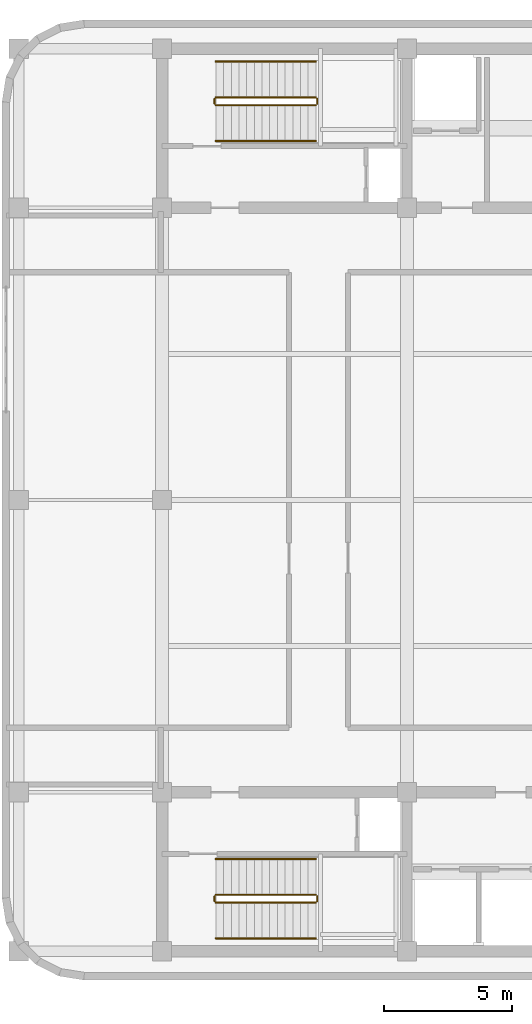
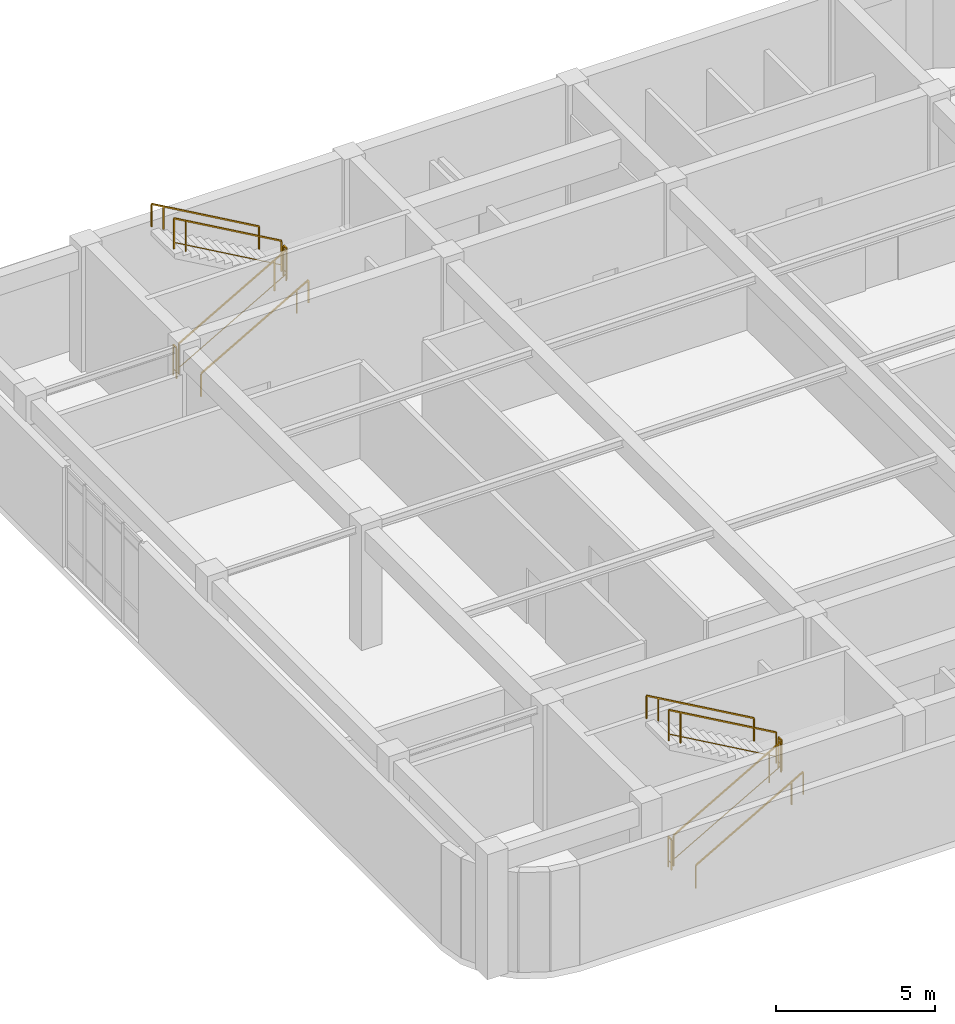
# One storey, part 7 of 7: 12 railings.
"""IFC4 building model written with IfcOpenShell, lengths in metres."""

from ifc_helpers import new_model, si_unit, direction, frame, origin, origin_2d, place, context, subcontext, project, spatial, rectangle, extrude, material, type_object, element, save


model = new_model("IFC4")

# Units and contexts
model_context = context("Model", 3, precision=1e-05, world=origin(), true_north=direction((0.0, 1.0)))
body_context = subcontext(model_context, "Body", "Model", "MODEL_VIEW")
ifc_project = project(units=[si_unit("LENGTHUNIT", "METRE"), si_unit("AREAUNIT", "SQUARE_METRE"), si_unit("VOLUMEUNIT", "CUBIC_METRE"), si_unit("PLANEANGLEUNIT", "RADIAN"), si_unit("MASSUNIT", "GRAM", prefix="KILO")], contexts=[model_context])

# Site, building, storey
site_placement = place(None, origin())
site = spatial("IfcSite", under=ifc_project, at=site_placement, CompositionType="ELEMENT")
building_placement = place(site_placement, origin())
building = spatial("IfcBuilding", under=site, at=building_placement, Name="Svetorya Sky Lyceum", CompositionType="ELEMENT")
storey_placement = place(building_placement, frame((0.0, 0.0, 255.39990234375)))
storey = spatial("IfcBuildingStorey", under=building, at=storey_placement, Name="L64", CompositionType="ELEMENT", Elevation=255.39990234375)

# Railings
ifc_material_1 = material(Name="Painted galvanized stair well guard")
railing_type_1 = type_object("IfcRailingType", Name="RL-STR-GUARD-1200", PredefinedType="GUARDRAIL", material=ifc_material_1)
railing_1_placement = place(storey_placement, frame((27.699951171875, 12.5, 0.171630859375)))
element("IfcRailing", 1, at=railing_1_placement, inside=storey, type_object=railing_type_1, Name="L64 ST-S stair guard 1", PredefinedType="GUARDRAIL", context=body_context, shape_type="SweptSolid", body=[
    extrude(rectangle(XDim=0.048095703125, YDim=0.048095703125, at=origin_2d()), frame((0.0, 0.0, 1.17578125), z_axis=(0.868256520506, 0.0, 0.496115525457), x_axis=(0.0, 1.0, 0.0)), (0.0, 0.0, 1.0), 4.491943359375),
    extrude(rectangle(XDim=0.02392578125, YDim=0.02392578125, at=origin_2d()), frame((0.0, 0.0, 0.25), z_axis=(0.868256520506, 0.0, 0.496115525457), x_axis=(0.0, 1.0, 0.0)), (0.0, 0.0, 1.0), 4.491943359375),
    extrude(rectangle(XDim=0.0419921875, YDim=0.0419921875, at=origin_2d()), origin(), (0.0, 0.0, 1.0), 1.15185546875),
    extrude(rectangle(XDim=0.0419921875, YDim=0.0419921875, at=origin_2d()), frame((3.47314453125, 0.0, 1.984375)), (0.0, 0.0, 1.0), 1.15185546875),
    extrude(rectangle(XDim=0.0419921875, YDim=0.0419921875, at=origin_2d()), frame((3.900146484375, 0.0, 2.228515625)), (0.0, 0.0, 1.0), 1.15185546875),
])
railing_2_placement = place(storey_placement, frame((31.64990234375, 12.550048828125, 2.400146484375)))
element("IfcRailing", 2, at=railing_2_placement, inside=storey, type_object=railing_type_1, Name="L64 ST-S stair guard 2", PredefinedType="GUARDRAIL", context=body_context, shape_type="SweptSolid", body=[
    extrude(rectangle(XDim=0.048095703125, YDim=0.048095703125, at=origin_2d()), frame((0.0, 0.0, 1.17578125), z_axis=(0.0, 1.0, 0.0), x_axis=(-1.0, 0.0, 0.0)), (0.0, 0.0, 1.0), 0.199951171875),
    extrude(rectangle(XDim=0.02392578125, YDim=0.02392578125, at=origin_2d()), frame((0.0, 0.0, 0.25), z_axis=(0.0, 1.0, 0.0), x_axis=(-1.0, 0.0, 0.0)), (0.0, 0.0, 1.0), 0.199951171875),
    extrude(rectangle(XDim=0.0419921875, YDim=0.0419921875, at=origin_2d()), origin(), (0.0, 0.0, 1.0), 1.15185546875),
    extrude(rectangle(XDim=0.0419921875, YDim=0.0419921875, at=origin_2d()), frame((0.0, 0.199951171875, 0.0)), (0.0, 0.0, 1.0), 1.15185546875),
])
railing_3_placement = place(storey_placement, frame((31.60009765625, 12.800048828125, 2.571533203125)))
element("IfcRailing", 3, at=railing_3_placement, inside=storey, type_object=railing_type_1, Name="L64 ST-S stair guard 3", PredefinedType="GUARDRAIL", context=body_context, shape_type="SweptSolid", body=[
    extrude(rectangle(XDim=0.048095703125, YDim=0.048095703125, at=origin_2d()), frame((0.0, 0.0, 1.17578125), z_axis=(-0.868256520506, 0.0, 0.496115525457), x_axis=(0.0, -1.0, 0.0)), (0.0, 0.0, 1.0), 4.491943359375),
    extrude(rectangle(XDim=0.02392578125, YDim=0.02392578125, at=origin_2d()), frame((0.0, 0.0, 0.25), z_axis=(-0.868256520506, 0.0, 0.496115525457), x_axis=(0.0, -1.0, 0.0)), (0.0, 0.0, 1.0), 4.491943359375),
    extrude(rectangle(XDim=0.0419921875, YDim=0.0419921875, at=origin_2d()), origin(), (0.0, 0.0, 1.0), 1.15185546875),
    extrude(rectangle(XDim=0.0419921875, YDim=0.0419921875, at=origin_2d()), frame((-3.47314453125, 0.0, 1.984375)), (0.0, 0.0, 1.0), 1.15185546875),
    extrude(rectangle(XDim=0.0419921875, YDim=0.0419921875, at=origin_2d()), frame((-3.900146484375, 0.0, 2.228515625)), (0.0, 0.0, 1.0), 1.15185546875),
])
railing_4_placement = place(storey_placement, frame((27.64990234375, 12.550048828125, 0.0)))
element("IfcRailing", 4, at=railing_4_placement, inside=storey, type_object=railing_type_1, Name="L64 ST-S stair guard 4", PredefinedType="GUARDRAIL", context=body_context, shape_type="SweptSolid", body=[
    extrude(rectangle(XDim=0.048095703125, YDim=0.048095703125, at=origin_2d()), frame((0.0, 0.0, 1.17578125), z_axis=(0.0, 1.0, 0.0), x_axis=(-1.0, 0.0, 0.0)), (0.0, 0.0, 1.0), 0.199951171875),
    extrude(rectangle(XDim=0.02392578125, YDim=0.02392578125, at=origin_2d()), frame((0.0, 0.0, 0.25), z_axis=(0.0, 1.0, 0.0), x_axis=(-1.0, 0.0, 0.0)), (0.0, 0.0, 1.0), 0.199951171875),
    extrude(rectangle(XDim=0.0419921875, YDim=0.0419921875, at=origin_2d()), origin(), (0.0, 0.0, 1.0), 1.15185546875),
    extrude(rectangle(XDim=0.0419921875, YDim=0.0419921875, at=origin_2d()), frame((0.0, 0.199951171875, 0.0)), (0.0, 0.0, 1.0), 1.15185546875),
])
railing_5_placement = place(storey_placement, frame((27.699951171875, 43.60009765625, 0.171630859375)))
element("IfcRailing", 5, at=railing_5_placement, inside=storey, type_object=railing_type_1, Name="L64 ST-N stair guard 1", PredefinedType="GUARDRAIL", context=body_context, shape_type="SweptSolid", body=[
    extrude(rectangle(XDim=0.048095703125, YDim=0.048095703125, at=origin_2d()), frame((0.0, 0.0, 1.17578125), z_axis=(0.868256520506, 0.0, 0.496115525457), x_axis=(0.0, 1.0, 0.0)), (0.0, 0.0, 1.0), 4.491943359375),
    extrude(rectangle(XDim=0.02392578125, YDim=0.02392578125, at=origin_2d()), frame((0.0, 0.0, 0.25), z_axis=(0.868256520506, 0.0, 0.496115525457), x_axis=(0.0, 1.0, 0.0)), (0.0, 0.0, 1.0), 4.491943359375),
    extrude(rectangle(XDim=0.0419921875, YDim=0.0419921875, at=origin_2d()), origin(), (0.0, 0.0, 1.0), 1.15185546875),
    extrude(rectangle(XDim=0.0419921875, YDim=0.0419921875, at=origin_2d()), frame((3.47314453125, 0.0, 1.984375)), (0.0, 0.0, 1.0), 1.15185546875),
    extrude(rectangle(XDim=0.0419921875, YDim=0.0419921875, at=origin_2d()), frame((3.900146484375, 0.0, 2.228515625)), (0.0, 0.0, 1.0), 1.15185546875),
])
railing_6_placement = place(storey_placement, frame((31.64990234375, 43.64990234375, 2.400146484375)))
element("IfcRailing", 6, at=railing_6_placement, inside=storey, type_object=railing_type_1, Name="L64 ST-N stair guard 2", PredefinedType="GUARDRAIL", context=body_context, shape_type="SweptSolid", body=[
    extrude(rectangle(XDim=0.048095703125, YDim=0.048095703125, at=origin_2d()), frame((0.0, 0.0, 1.17578125), z_axis=(0.0, 1.0, 0.0), x_axis=(-1.0, 0.0, 0.0)), (0.0, 0.0, 1.0), 0.2001953125),
    extrude(rectangle(XDim=0.02392578125, YDim=0.02392578125, at=origin_2d()), frame((0.0, 0.0, 0.25), z_axis=(0.0, 1.0, 0.0), x_axis=(-1.0, 0.0, 0.0)), (0.0, 0.0, 1.0), 0.2001953125),
    extrude(rectangle(XDim=0.0419921875, YDim=0.0419921875, at=origin_2d()), origin(), (0.0, 0.0, 1.0), 1.15185546875),
    extrude(rectangle(XDim=0.0419921875, YDim=0.0419921875, at=origin_2d()), frame((0.0, 0.2001953125, 0.0)), (0.0, 0.0, 1.0), 1.15185546875),
])
railing_7_placement = place(storey_placement, frame((31.60009765625, 43.89990234375, 2.571533203125)))
element("IfcRailing", 7, at=railing_7_placement, inside=storey, type_object=railing_type_1, Name="L64 ST-N stair guard 3", PredefinedType="GUARDRAIL", context=body_context, shape_type="SweptSolid", body=[
    extrude(rectangle(XDim=0.048095703125, YDim=0.048095703125, at=origin_2d()), frame((0.0, 0.0, 1.17578125), z_axis=(-0.868256520506, 0.0, 0.496115525457), x_axis=(0.0, -1.0, 0.0)), (0.0, 0.0, 1.0), 4.491943359375),
    extrude(rectangle(XDim=0.02392578125, YDim=0.02392578125, at=origin_2d()), frame((0.0, 0.0, 0.25), z_axis=(-0.868256520506, 0.0, 0.496115525457), x_axis=(0.0, -1.0, 0.0)), (0.0, 0.0, 1.0), 4.491943359375),
    extrude(rectangle(XDim=0.0419921875, YDim=0.0419921875, at=origin_2d()), origin(), (0.0, 0.0, 1.0), 1.15185546875),
    extrude(rectangle(XDim=0.0419921875, YDim=0.0419921875, at=origin_2d()), frame((-3.47314453125, 0.0, 1.984375)), (0.0, 0.0, 1.0), 1.15185546875),
    extrude(rectangle(XDim=0.0419921875, YDim=0.0419921875, at=origin_2d()), frame((-3.900146484375, 0.0, 2.228515625)), (0.0, 0.0, 1.0), 1.15185546875),
])
railing_8_placement = place(storey_placement, frame((27.64990234375, 43.64990234375, 0.0)))
element("IfcRailing", 8, at=railing_8_placement, inside=storey, type_object=railing_type_1, Name="L64 ST-N stair guard 4", PredefinedType="GUARDRAIL", context=body_context, shape_type="SweptSolid", body=[
    extrude(rectangle(XDim=0.048095703125, YDim=0.048095703125, at=origin_2d()), frame((0.0, 0.0, 1.17578125), z_axis=(0.0, 1.0, 0.0), x_axis=(-1.0, 0.0, 0.0)), (0.0, 0.0, 1.0), 0.2001953125),
    extrude(rectangle(XDim=0.02392578125, YDim=0.02392578125, at=origin_2d()), frame((0.0, 0.0, 0.25), z_axis=(0.0, 1.0, 0.0), x_axis=(-1.0, 0.0, 0.0)), (0.0, 0.0, 1.0), 0.2001953125),
    extrude(rectangle(XDim=0.0419921875, YDim=0.0419921875, at=origin_2d()), origin(), (0.0, 0.0, 1.0), 1.15185546875),
    extrude(rectangle(XDim=0.0419921875, YDim=0.0419921875, at=origin_2d()), frame((0.0, 0.2001953125, 0.0)), (0.0, 0.0, 1.0), 1.15185546875),
])
ifc_material_2 = material(Name="Brushed stainless AISI 304 stair handrail")
railing_type_2 = type_object("IfcRailingType", Name="RL-STR-HAND-920", PredefinedType="HANDRAIL", material=ifc_material_2)
railing_9_placement = place(storey_placement, frame((27.699951171875, 11.10009765625, 0.171630859375)))
element("IfcRailing", 9, at=railing_9_placement, inside=storey, type_object=railing_type_2, Name="L64 ST-S stair handrail 1", PredefinedType="HANDRAIL", context=body_context, shape_type="SweptSolid", body=[
    extrude(rectangle(XDim=0.048095703125, YDim=0.048095703125, at=origin_2d()), frame((0.0, 0.0, 0.8759765625), z_axis=(0.868256520506, 0.0, 0.496115525457), x_axis=(0.0, 1.0, 0.0)), (0.0, 0.0, 1.0), 4.491943359375),
    extrude(rectangle(XDim=0.0419921875, YDim=0.0419921875, at=origin_2d()), origin(), (0.0, 0.0, 1.0), 0.851806640625),
    extrude(rectangle(XDim=0.0419921875, YDim=0.0419921875, at=origin_2d()), frame((3.47314453125, 0.0, 1.984375)), (0.0, 0.0, 1.0), 0.851806640625),
    extrude(rectangle(XDim=0.0419921875, YDim=0.0419921875, at=origin_2d()), frame((3.900146484375, 0.0, 2.228515625)), (0.0, 0.0, 1.0), 0.851806640625),
])
railing_10_placement = place(storey_placement, frame((31.60009765625, 14.199951171875, 2.571533203125)))
element("IfcRailing", 10, at=railing_10_placement, inside=storey, type_object=railing_type_2, Name="L64 ST-S stair handrail 2", PredefinedType="HANDRAIL", context=body_context, shape_type="SweptSolid", body=[
    extrude(rectangle(XDim=0.048095703125, YDim=0.048095703125, at=origin_2d()), frame((0.0, 0.0, 0.8759765625), z_axis=(-0.868256520506, 0.0, 0.496115525457), x_axis=(0.0, -1.0, 0.0)), (0.0, 0.0, 1.0), 4.491943359375),
    extrude(rectangle(XDim=0.0419921875, YDim=0.0419921875, at=origin_2d()), origin(), (0.0, 0.0, 1.0), 0.851806640625),
    extrude(rectangle(XDim=0.0419921875, YDim=0.0419921875, at=origin_2d()), frame((-3.47314453125, 0.0, 1.984375)), (0.0, 0.0, 1.0), 0.851806640625),
    extrude(rectangle(XDim=0.0419921875, YDim=0.0419921875, at=origin_2d()), frame((-3.900146484375, 0.0, 2.228515625)), (0.0, 0.0, 1.0), 0.851806640625),
])
railing_11_placement = place(storey_placement, frame((27.699951171875, 42.199951171875, 0.171630859375)))
element("IfcRailing", 11, at=railing_11_placement, inside=storey, type_object=railing_type_2, Name="L64 ST-N stair handrail 1", PredefinedType="HANDRAIL", context=body_context, shape_type="SweptSolid", body=[
    extrude(rectangle(XDim=0.048095703125, YDim=0.048095703125, at=origin_2d()), frame((0.0, 0.0, 0.8759765625), z_axis=(0.868256520506, 0.0, 0.496115525457), x_axis=(0.0, 1.0, 0.0)), (0.0, 0.0, 1.0), 4.491943359375),
    extrude(rectangle(XDim=0.0419921875, YDim=0.0419921875, at=origin_2d()), origin(), (0.0, 0.0, 1.0), 0.851806640625),
    extrude(rectangle(XDim=0.0419921875, YDim=0.0419921875, at=origin_2d()), frame((3.47314453125, 0.0, 1.984375)), (0.0, 0.0, 1.0), 0.851806640625),
    extrude(rectangle(XDim=0.0419921875, YDim=0.0419921875, at=origin_2d()), frame((3.900146484375, 0.0, 2.228515625)), (0.0, 0.0, 1.0), 0.851806640625),
])
railing_12_placement = place(storey_placement, frame((31.60009765625, 45.300048828125, 2.571533203125)))
element("IfcRailing", 12, at=railing_12_placement, inside=storey, type_object=railing_type_2, Name="L64 ST-N stair handrail 2", PredefinedType="HANDRAIL", context=body_context, shape_type="SweptSolid", body=[
    extrude(rectangle(XDim=0.048095703125, YDim=0.048095703125, at=origin_2d()), frame((0.0, 0.0, 0.8759765625), z_axis=(-0.868256520506, 0.0, 0.496115525457), x_axis=(0.0, -1.0, 0.0)), (0.0, 0.0, 1.0), 4.491943359375),
    extrude(rectangle(XDim=0.0419921875, YDim=0.0419921875, at=origin_2d()), origin(), (0.0, 0.0, 1.0), 0.851806640625),
    extrude(rectangle(XDim=0.0419921875, YDim=0.0419921875, at=origin_2d()), frame((-3.47314453125, 0.0, 1.984375)), (0.0, 0.0, 1.0), 0.851806640625),
    extrude(rectangle(XDim=0.0419921875, YDim=0.0419921875, at=origin_2d()), frame((-3.900146484375, 0.0, 2.228515625)), (0.0, 0.0, 1.0), 0.851806640625),
])

save(model, "model.ifc")
